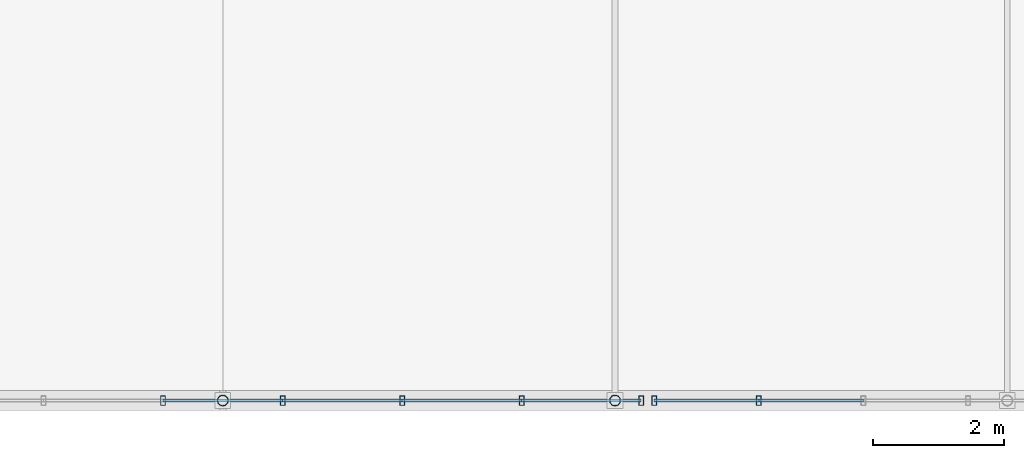
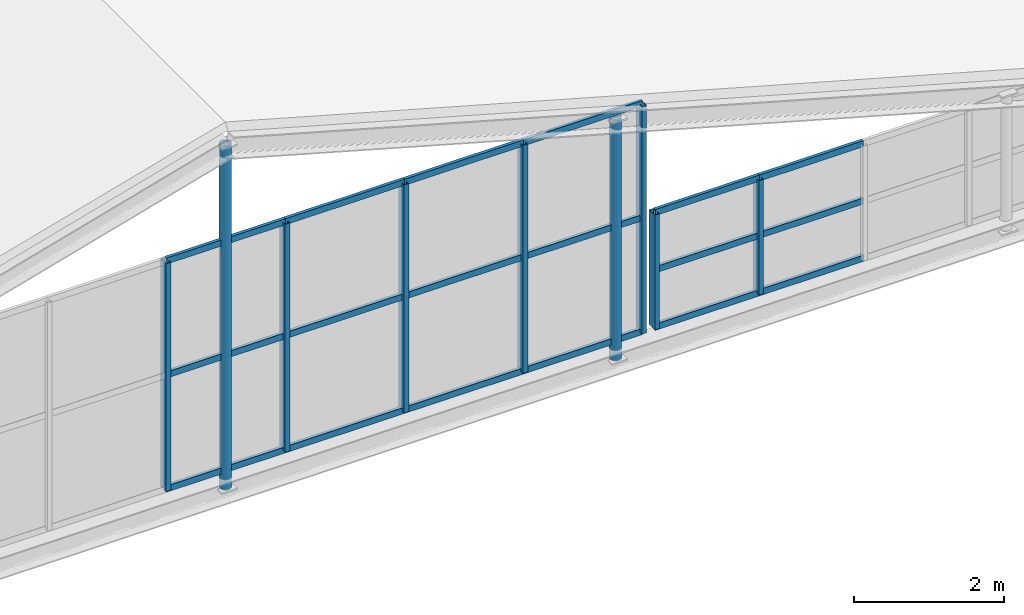
# One storey, part 9 of 49: 27 members, 2 elements without a shape of their own.
"""IFC4 building model written with IfcOpenShell, lengths in metres."""

from ifc_helpers import new_model, si_unit, direction, frame, origin, origin_2d, place, context, subcontext, project, spatial, hollow_rectangle, hollow_circle, extrude, material, material_profile, profile_set, type_object, element, aggregate, save


model = new_model("IFC4")

# Units and contexts
model_context = context("Model", 3, precision=1e-05, world=origin(), true_north=direction((0.0, 1.0)))
body_context = subcontext(model_context, "Body", "Model", "MODEL_VIEW")
ifc_project = project(units=[si_unit("LENGTHUNIT", "METRE"), si_unit("AREAUNIT", "SQUARE_METRE"), si_unit("VOLUMEUNIT", "CUBIC_METRE"), si_unit("PLANEANGLEUNIT", "RADIAN"), si_unit("MASSUNIT", "GRAM", prefix="KILO")], contexts=[model_context])

# Site, building, storey
site_placement = place(None, origin())
site = spatial("IfcSite", under=ifc_project, at=site_placement, CompositionType="ELEMENT")
building_placement = place(site_placement, origin())
building = spatial("IfcBuilding", under=site, at=building_placement, Name="Sundkrona Museum", CompositionType="ELEMENT")
storey_placement = place(building_placement, frame((0.0, 0.0, 26.0)))
storey = spatial("IfcBuildingStorey", under=building, at=storey_placement, Name="L05", CompositionType="ELEMENT", Elevation=26.0)

# Curtain wall, members
ifc_material_1 = material(Name="Unitised Aluminium-Steel and Ceramic-Clad Curtain Walling", Category="steel")
curtain_wall_type = type_object("IfcCurtainWallType", Name="CW-SW-240x13", PredefinedType="NOTDEFINED", material=ifc_material_1)
curtain_wall_1_placement = place(storey_placement, origin())
curtain_wall_1 = element("IfcCurtainWall", 1, at=curtain_wall_1_placement, inside=storey, type_object=curtain_wall_type, Name="Atrium S Glazed Gable Tympanum 3", PredefinedType="NOTDEFINED")
ifc_material_2 = material(Name="Aluminium EN AW-6060 T66", Category="aluminium")
ifc_material_profile_1 = material_profile(ifc_material_2, hollow_rectangle(XDim=0.074951171875, YDim=0.14990234375, WallThickness=0.00634765625, at=origin_2d()), Name="RHS 150x75x6.3")
ifc_profile_set_1 = profile_set([ifc_material_profile_1], Name="Aluminium EN AW-6060 T66")
member_type_1 = type_object("IfcMemberType", Name="ML-150", PredefinedType="MULLION", material=ifc_profile_set_1)
member_1_placement = place(storey_placement, frame((99.085693359375, 0.0, -0.10009765625), z_axis=(0.0, 0.0, 1.0), x_axis=(1.0, 0.0, 0.0)))
member_1 = element("IfcMember", 2, at=member_1_placement, type_object=member_type_1, Name="CW-ATR-GBL-S3 Mullion 04", PredefinedType="MULLION", context=body_context, shape_type="SweptSolid", body=[
    extrude(hollow_rectangle(XDim=0.074951171875, YDim=0.14990234375, WallThickness=0.00634765625, at=origin_2d()), origin(), (0.0, 0.0, 1.0), 3.70703125),
])
member_2_placement = place(storey_placement, frame((100.914306640625, 0.0, -0.10009765625), z_axis=(0.0, 0.0, 1.0), x_axis=(1.0, 0.0, 0.0)))
member_2 = element("IfcMember", 3, at=member_2_placement, type_object=member_type_1, Name="CW-ATR-GBL-S3 Mullion 05", PredefinedType="MULLION", context=body_context, shape_type="SweptSolid", body=[
    extrude(hollow_rectangle(XDim=0.074951171875, YDim=0.14990234375, WallThickness=0.00634765625, at=origin_2d()), origin(), (0.0, 0.0, 1.0), 3.70703125),
])
member_3_placement = place(storey_placement, frame((102.742919921875, 0.0, -0.10009765625), z_axis=(0.0, 0.0, 1.0), x_axis=(1.0, 0.0, 0.0)))
member_3 = element("IfcMember", 4, at=member_3_placement, type_object=member_type_1, Name="CW-ATR-GBL-S3 Mullion 06", PredefinedType="MULLION", context=body_context, shape_type="SweptSolid", body=[
    extrude(hollow_rectangle(XDim=0.074951171875, YDim=0.14990234375, WallThickness=0.00634765625, at=origin_2d()), origin(), (0.0, 0.0, 1.0), 3.70703125),
])
member_4_placement = place(storey_placement, frame((104.5712890625, 0.0, -0.10009765625), z_axis=(0.0, 0.0, 1.0), x_axis=(1.0, 0.0, 0.0)))
member_4 = element("IfcMember", 5, at=member_4_placement, type_object=member_type_1, Name="CW-ATR-GBL-S3 Mullion 07", PredefinedType="MULLION", context=body_context, shape_type="SweptSolid", body=[
    extrude(hollow_rectangle(XDim=0.074951171875, YDim=0.14990234375, WallThickness=0.00634765625, at=origin_2d()), origin(), (0.0, 0.0, 1.0), 3.70703125),
])
member_5_placement = place(storey_placement, frame((106.39990234375, 0.0, -0.10009765625), z_axis=(0.0, 0.0, 1.0), x_axis=(1.0, 0.0, 0.0)))
member_5 = element("IfcMember", 6, at=member_5_placement, type_object=member_type_1, Name="CW-ATR-GBL-S3 Mullion 08", PredefinedType="MULLION", context=body_context, shape_type="SweptSolid", body=[
    extrude(hollow_rectangle(XDim=0.074951171875, YDim=0.14990234375, WallThickness=0.00634765625, at=origin_2d()), origin(), (0.0, 0.0, 1.0), 3.70703125),
])

curtain_wall_2_placement = place(storey_placement, origin())
curtain_wall_2 = element("IfcCurtainWall", 7, at=curtain_wall_2_placement, inside=storey, type_object=curtain_wall_type, Name="Atrium S Glazed Gable Tympanum 4", PredefinedType="NOTDEFINED")
member_6_placement = place(storey_placement, frame((106.60009765625, 0.0, -0.10009765625), z_axis=(0.0, 0.0, 1.0), x_axis=(1.0, 0.0, 0.0)))
member_6 = element("IfcMember", 8, at=member_6_placement, type_object=member_type_1, Name="CW-ATR-GBL-S4 Mullion 01", PredefinedType="MULLION", context=body_context, shape_type="SweptSolid", body=[
    extrude(hollow_rectangle(XDim=0.074951171875, YDim=0.14990234375, WallThickness=0.00634765625, at=origin_2d()), origin(), (0.0, 0.0, 1.0), 1.864013671875),
])
member_7_placement = place(storey_placement, frame((108.199951171875, 0.0, -0.10009765625), z_axis=(0.0, 0.0, 1.0), x_axis=(1.0, 0.0, 0.0)))
member_7 = element("IfcMember", 9, at=member_7_placement, type_object=member_type_1, Name="CW-ATR-GBL-S4 Mullion 02", PredefinedType="MULLION", context=body_context, shape_type="SweptSolid", body=[
    extrude(hollow_rectangle(XDim=0.074951171875, YDim=0.14990234375, WallThickness=0.00634765625, at=origin_2d()), origin(), (0.0, 0.0, 1.0), 1.864013671875),
])

# Members
ifc_material_3 = material(Name="Steel S355J2", Category="steel")
ifc_material_profile_2 = material_profile(ifc_material_3, hollow_circle(Radius=0.084228515625, WallThickness=0.008056640625, at=origin_2d()), Name="CHS 168.3x8.0")
ifc_profile_set_2 = profile_set([ifc_material_profile_2], Name="Steel S355J2")
member_type_2 = type_object("IfcMemberType", Name="ST-CHS168", PredefinedType="STRUT", material=ifc_profile_set_2)
member_8_placement = place(storey_placement, frame((100.0, 0.0, -0.39990234375), z_axis=(0.0, 0.0, 1.0), x_axis=(1.0, 0.0, 0.0)))
element("IfcMember", 10, at=member_8_placement, inside=storey, type_object=member_type_2, Name="RFS-1 Atrium Truss 1 Web Strut 100", PredefinedType="STRUT", context=body_context, shape_type="SweptSolid", body=[
    extrude(hollow_circle(Radius=0.084228515625, WallThickness=0.008056640625, at=origin_2d()), origin(), (0.0, 0.0, 1.0), 5.593994140625),
])
member_9_placement = place(storey_placement, frame((106.0, 0.0, -0.39990234375), z_axis=(0.0, 0.0, 1.0), x_axis=(1.0, 0.0, 0.0)))
element("IfcMember", 11, at=member_9_placement, inside=storey, type_object=member_type_2, Name="RFS-1 Atrium Truss 1 Web Strut 106", PredefinedType="STRUT", context=body_context, shape_type="SweptSolid", body=[
    extrude(hollow_circle(Radius=0.084228515625, WallThickness=0.008056640625, at=origin_2d()), origin(), (0.0, 0.0, 1.0), 3.915771484375),
])

# Member
ifc_material_profile_3 = material_profile(ifc_material_2, hollow_rectangle(XDim=0.050048828125, YDim=0.10009765625, WallThickness=0.0048828125, at=origin_2d()), Name="RHS 100x50x5.0")
ifc_profile_set_3 = profile_set([ifc_material_profile_3], Name="Aluminium EN AW-6060 T66")
member_type_3 = type_object("IfcMemberType", Name="TR-100", PredefinedType="USERDEFINED", material=ifc_profile_set_3)
member_10_placement = place(storey_placement, frame((99.085693359375, 0.0, -0.10009765625), z_axis=(1.0, 0.0, 0.0), x_axis=(0.0, 1.0, 0.0)))
member_10 = element("IfcMember", 12, at=member_10_placement, type_object=member_type_3, Name="CW-ATR-GBL-S3 Transom 10", ObjectType="TRANSOM", PredefinedType="USERDEFINED", context=body_context, shape_type="SweptSolid", body=[
    extrude(hollow_rectangle(XDim=0.050048828125, YDim=0.10009765625, WallThickness=0.0048828125, at=origin_2d()), origin(), (0.0, 0.0, 1.0), 1.82861328125),
])

member_11_placement = place(storey_placement, frame((99.085693359375, 0.0, 1.7529296875), z_axis=(1.0, 0.0, 0.0), x_axis=(0.0, 1.0, 0.0)))
member_11 = element("IfcMember", 13, at=member_11_placement, type_object=member_type_3, Name="CW-ATR-GBL-S3 Transom 11", ObjectType="TRANSOM", PredefinedType="USERDEFINED", context=body_context, shape_type="SweptSolid", body=[
    extrude(hollow_rectangle(XDim=0.050048828125, YDim=0.10009765625, WallThickness=0.0048828125, at=origin_2d()), origin(), (0.0, 0.0, 1.0), 1.82861328125),
])

member_12_placement = place(storey_placement, frame((99.085693359375, 0.0, 3.60693359375), z_axis=(1.0, 0.0, 0.0), x_axis=(0.0, 1.0, 0.0)))
member_12 = element("IfcMember", 14, at=member_12_placement, type_object=member_type_3, Name="CW-ATR-GBL-S3 Transom 12", ObjectType="TRANSOM", PredefinedType="USERDEFINED", context=body_context, shape_type="SweptSolid", body=[
    extrude(hollow_rectangle(XDim=0.050048828125, YDim=0.10009765625, WallThickness=0.0048828125, at=origin_2d()), origin(), (0.0, 0.0, 1.0), 1.82861328125),
])

member_13_placement = place(storey_placement, frame((100.914306640625, 0.0, -0.10009765625), z_axis=(1.0, 0.0, 0.0), x_axis=(0.0, 1.0, 0.0)))
member_13 = element("IfcMember", 15, at=member_13_placement, type_object=member_type_3, Name="CW-ATR-GBL-S3 Transom 13", ObjectType="TRANSOM", PredefinedType="USERDEFINED", context=body_context, shape_type="SweptSolid", body=[
    extrude(hollow_rectangle(XDim=0.050048828125, YDim=0.10009765625, WallThickness=0.0048828125, at=origin_2d()), origin(), (0.0, 0.0, 1.0), 1.82861328125),
])

member_14_placement = place(storey_placement, frame((100.914306640625, 0.0, 1.7529296875), z_axis=(1.0, 0.0, 0.0), x_axis=(0.0, 1.0, 0.0)))
member_14 = element("IfcMember", 16, at=member_14_placement, type_object=member_type_3, Name="CW-ATR-GBL-S3 Transom 14", ObjectType="TRANSOM", PredefinedType="USERDEFINED", context=body_context, shape_type="SweptSolid", body=[
    extrude(hollow_rectangle(XDim=0.050048828125, YDim=0.10009765625, WallThickness=0.0048828125, at=origin_2d()), origin(), (0.0, 0.0, 1.0), 1.82861328125),
])

member_15_placement = place(storey_placement, frame((100.914306640625, 0.0, 3.60693359375), z_axis=(1.0, 0.0, 0.0), x_axis=(0.0, 1.0, 0.0)))
member_15 = element("IfcMember", 17, at=member_15_placement, type_object=member_type_3, Name="CW-ATR-GBL-S3 Transom 15", ObjectType="TRANSOM", PredefinedType="USERDEFINED", context=body_context, shape_type="SweptSolid", body=[
    extrude(hollow_rectangle(XDim=0.050048828125, YDim=0.10009765625, WallThickness=0.0048828125, at=origin_2d()), origin(), (0.0, 0.0, 1.0), 1.82861328125),
])

member_16_placement = place(storey_placement, frame((102.742919921875, 0.0, -0.10009765625), z_axis=(1.0, 0.0, 0.0), x_axis=(0.0, 1.0, 0.0)))
member_16 = element("IfcMember", 18, at=member_16_placement, type_object=member_type_3, Name="CW-ATR-GBL-S3 Transom 16", ObjectType="TRANSOM", PredefinedType="USERDEFINED", context=body_context, shape_type="SweptSolid", body=[
    extrude(hollow_rectangle(XDim=0.050048828125, YDim=0.10009765625, WallThickness=0.0048828125, at=origin_2d()), origin(), (0.0, 0.0, 1.0), 1.828369140625),
])

member_17_placement = place(storey_placement, frame((102.742919921875, 0.0, 1.7529296875), z_axis=(1.0, 0.0, 0.0), x_axis=(0.0, 1.0, 0.0)))
member_17 = element("IfcMember", 19, at=member_17_placement, type_object=member_type_3, Name="CW-ATR-GBL-S3 Transom 17", ObjectType="TRANSOM", PredefinedType="USERDEFINED", context=body_context, shape_type="SweptSolid", body=[
    extrude(hollow_rectangle(XDim=0.050048828125, YDim=0.10009765625, WallThickness=0.0048828125, at=origin_2d()), origin(), (0.0, 0.0, 1.0), 1.828369140625),
])

member_18_placement = place(storey_placement, frame((102.742919921875, 0.0, 3.60693359375), z_axis=(1.0, 0.0, 0.0), x_axis=(0.0, 1.0, 0.0)))
member_18 = element("IfcMember", 20, at=member_18_placement, type_object=member_type_3, Name="CW-ATR-GBL-S3 Transom 18", ObjectType="TRANSOM", PredefinedType="USERDEFINED", context=body_context, shape_type="SweptSolid", body=[
    extrude(hollow_rectangle(XDim=0.050048828125, YDim=0.10009765625, WallThickness=0.0048828125, at=origin_2d()), origin(), (0.0, 0.0, 1.0), 1.828369140625),
])

member_19_placement = place(storey_placement, frame((104.5712890625, 0.0, -0.10009765625), z_axis=(1.0, 0.0, 0.0), x_axis=(0.0, 1.0, 0.0)))
member_19 = element("IfcMember", 21, at=member_19_placement, type_object=member_type_3, Name="CW-ATR-GBL-S3 Transom 19", ObjectType="TRANSOM", PredefinedType="USERDEFINED", context=body_context, shape_type="SweptSolid", body=[
    extrude(hollow_rectangle(XDim=0.050048828125, YDim=0.10009765625, WallThickness=0.0048828125, at=origin_2d()), origin(), (0.0, 0.0, 1.0), 1.82861328125),
])

member_20_placement = place(storey_placement, frame((104.5712890625, 0.0, 1.7529296875), z_axis=(1.0, 0.0, 0.0), x_axis=(0.0, 1.0, 0.0)))
member_20 = element("IfcMember", 22, at=member_20_placement, type_object=member_type_3, Name="CW-ATR-GBL-S3 Transom 20", ObjectType="TRANSOM", PredefinedType="USERDEFINED", context=body_context, shape_type="SweptSolid", body=[
    extrude(hollow_rectangle(XDim=0.050048828125, YDim=0.10009765625, WallThickness=0.0048828125, at=origin_2d()), origin(), (0.0, 0.0, 1.0), 1.82861328125),
])

member_21_placement = place(storey_placement, frame((104.5712890625, 0.0, 3.60693359375), z_axis=(1.0, 0.0, 0.0), x_axis=(0.0, 1.0, 0.0)))
member_21 = element("IfcMember", 23, at=member_21_placement, type_object=member_type_3, Name="CW-ATR-GBL-S3 Transom 21", ObjectType="TRANSOM", PredefinedType="USERDEFINED", context=body_context, shape_type="SweptSolid", body=[
    extrude(hollow_rectangle(XDim=0.050048828125, YDim=0.10009765625, WallThickness=0.0048828125, at=origin_2d()), origin(), (0.0, 0.0, 1.0), 1.82861328125),
])

aggregate(curtain_wall_1, [member_1, member_2, member_3, member_4, member_5, member_10, member_11, member_12, member_13, member_14, member_15, member_16, member_17, member_18, member_19, member_20, member_21])

member_22_placement = place(storey_placement, frame((106.60009765625, 0.0, -0.10009765625), z_axis=(1.0, 0.0, 0.0), x_axis=(0.0, 1.0, 0.0)))
member_22 = element("IfcMember", 24, at=member_22_placement, type_object=member_type_3, Name="CW-ATR-GBL-S4 Transom 01", ObjectType="TRANSOM", PredefinedType="USERDEFINED", context=body_context, shape_type="SweptSolid", body=[
    extrude(hollow_rectangle(XDim=0.050048828125, YDim=0.10009765625, WallThickness=0.0048828125, at=origin_2d()), origin(), (0.0, 0.0, 1.0), 1.599853515625),
])

member_23_placement = place(storey_placement, frame((106.60009765625, 0.0, 0.83203125), z_axis=(1.0, 0.0, 0.0), x_axis=(0.0, 1.0, 0.0)))
member_23 = element("IfcMember", 25, at=member_23_placement, type_object=member_type_3, Name="CW-ATR-GBL-S4 Transom 02", ObjectType="TRANSOM", PredefinedType="USERDEFINED", context=body_context, shape_type="SweptSolid", body=[
    extrude(hollow_rectangle(XDim=0.050048828125, YDim=0.10009765625, WallThickness=0.0048828125, at=origin_2d()), origin(), (0.0, 0.0, 1.0), 1.599853515625),
])

member_24_placement = place(storey_placement, frame((106.60009765625, 0.0, 1.763916015625), z_axis=(1.0, 0.0, 0.0), x_axis=(0.0, 1.0, 0.0)))
member_24 = element("IfcMember", 26, at=member_24_placement, type_object=member_type_3, Name="CW-ATR-GBL-S4 Transom 03", ObjectType="TRANSOM", PredefinedType="USERDEFINED", context=body_context, shape_type="SweptSolid", body=[
    extrude(hollow_rectangle(XDim=0.050048828125, YDim=0.10009765625, WallThickness=0.0048828125, at=origin_2d()), origin(), (0.0, 0.0, 1.0), 1.599853515625),
])

member_25_placement = place(storey_placement, frame((108.199951171875, 0.0, -0.10009765625), z_axis=(1.0, 0.0, 0.0), x_axis=(0.0, 1.0, 0.0)))
member_25 = element("IfcMember", 27, at=member_25_placement, type_object=member_type_3, Name="CW-ATR-GBL-S4 Transom 04", ObjectType="TRANSOM", PredefinedType="USERDEFINED", context=body_context, shape_type="SweptSolid", body=[
    extrude(hollow_rectangle(XDim=0.050048828125, YDim=0.10009765625, WallThickness=0.0048828125, at=origin_2d()), origin(), (0.0, 0.0, 1.0), 1.60009765625),
])

member_26_placement = place(storey_placement, frame((108.199951171875, 0.0, 0.83203125), z_axis=(1.0, 0.0, 0.0), x_axis=(0.0, 1.0, 0.0)))
member_26 = element("IfcMember", 28, at=member_26_placement, type_object=member_type_3, Name="CW-ATR-GBL-S4 Transom 05", ObjectType="TRANSOM", PredefinedType="USERDEFINED", context=body_context, shape_type="SweptSolid", body=[
    extrude(hollow_rectangle(XDim=0.050048828125, YDim=0.10009765625, WallThickness=0.0048828125, at=origin_2d()), origin(), (0.0, 0.0, 1.0), 1.60009765625),
])

member_27_placement = place(storey_placement, frame((108.199951171875, 0.0, 1.763916015625), z_axis=(1.0, 0.0, 0.0), x_axis=(0.0, 1.0, 0.0)))
member_27 = element("IfcMember", 29, at=member_27_placement, type_object=member_type_3, Name="CW-ATR-GBL-S4 Transom 06", ObjectType="TRANSOM", PredefinedType="USERDEFINED", context=body_context, shape_type="SweptSolid", body=[
    extrude(hollow_rectangle(XDim=0.050048828125, YDim=0.10009765625, WallThickness=0.0048828125, at=origin_2d()), origin(), (0.0, 0.0, 1.0), 1.60009765625),
])

aggregate(curtain_wall_2, [member_6, member_7, member_22, member_23, member_24, member_25, member_26, member_27])

save(model, "model.ifc")
